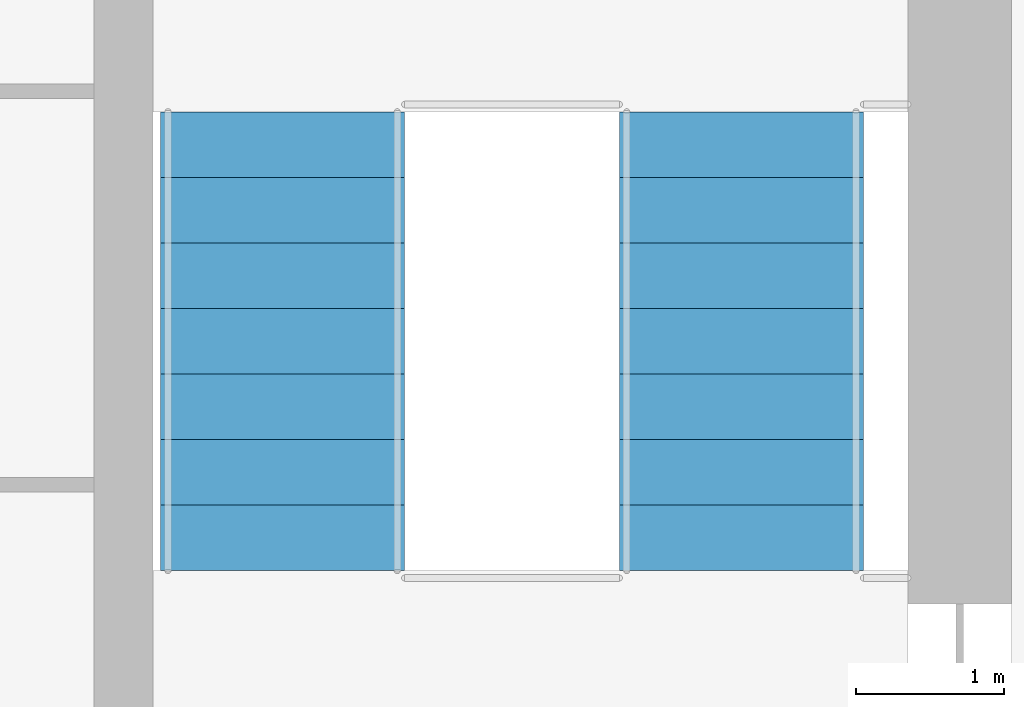
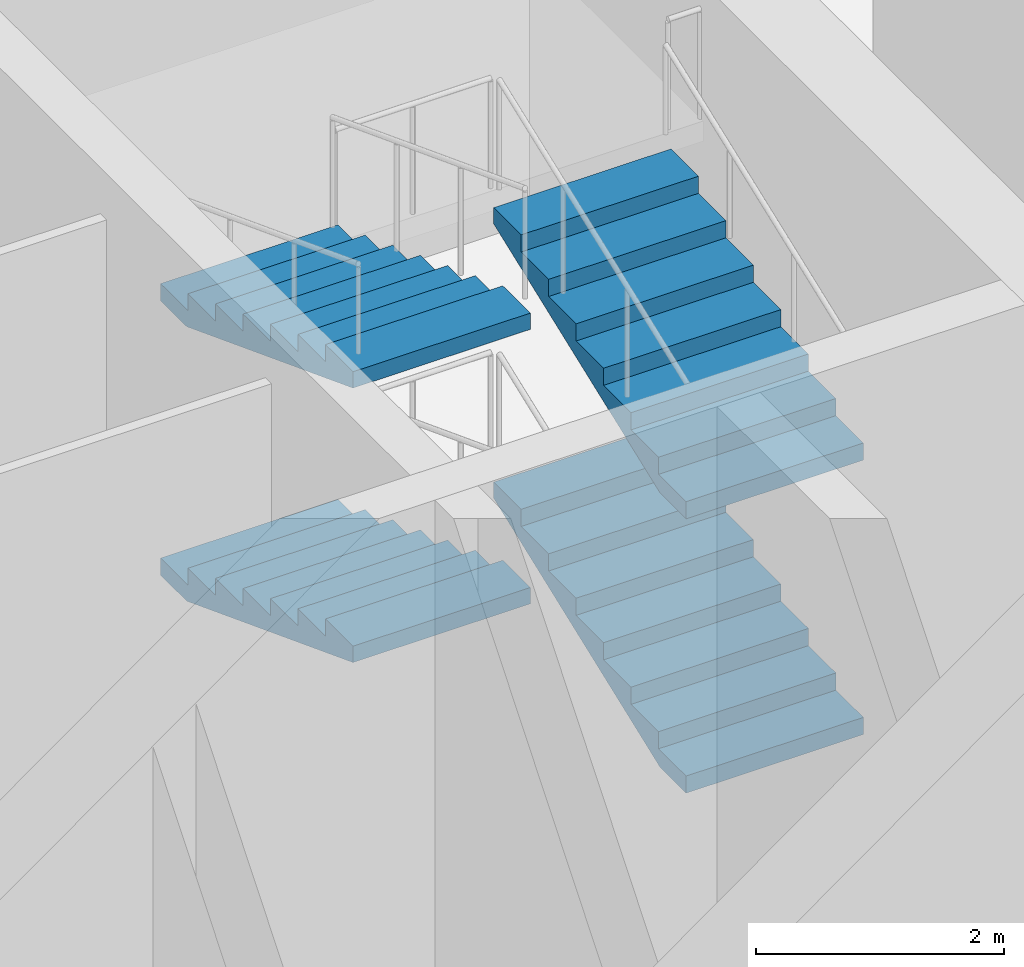
# One storey, part 8 of 19: 4 stair flights, 1 element without a shape of its own.
"""IFC4 building model written with IfcOpenShell, lengths in metres."""

from ifc_helpers import new_model, si_unit, direction, frame, origin, place, context, subcontext, project, spatial, polyline, outline, extrude, material, type_object, element, aggregate, save


model = new_model("IFC4")

# Units and contexts
model_context = context("Model", 3, precision=1e-05, world=origin(), true_north=direction((0.0, 1.0)))
body_context = subcontext(model_context, "Body", "Model", "MODEL_VIEW")
ifc_project = project(units=[si_unit("LENGTHUNIT", "METRE"), si_unit("AREAUNIT", "SQUARE_METRE"), si_unit("VOLUMEUNIT", "CUBIC_METRE"), si_unit("PLANEANGLEUNIT", "RADIAN"), si_unit("MASSUNIT", "GRAM", prefix="KILO")], contexts=[model_context])

# Site, building, storey
site_placement = place(None, origin())
site = spatial("IfcSite", under=ifc_project, at=site_placement, CompositionType="ELEMENT")
building_placement = place(site_placement, origin())
building = spatial("IfcBuilding", under=site, at=building_placement, Name="Corbel Stack Research Tower", CompositionType="ELEMENT")
storey_placement = place(building_placement, frame((0.0, 0.0, 226.199951171875)))
storey = spatial("IfcBuildingStorey", under=building, at=storey_placement, Name="L51", CompositionType="ELEMENT", Elevation=226.199951171875)

# Stair, stair flights
ifc_material_1 = material(Name="Concrete C40/50", Category="concrete")
stair_type = type_object("IfcStairType", Name="Exit stair 32 risers, 443 going", PredefinedType="HALF_TURN_STAIR", material=ifc_material_1)
stair_placement = place(storey_placement, origin())
stair = element("IfcStair", 1, at=stair_placement, inside=storey, type_object=stair_type, Name="L51 Exit stair ST-E2", PredefinedType="HALF_TURN_STAIR")
ifc_material_2 = material(Name="Concrete C40/50", Category="concrete")
stair_flight_type = type_object("IfcStairFlightType", Name="Stair flight 8 risers, 443 going", PredefinedType="STRAIGHT", material=ifc_material_2)
stair_flight_1_placement = place(storey_placement, frame((16.175048828125, 11.89990234375, 0.0), z_axis=(0.0, 0.0, 1.0), x_axis=(0.0, 1.0, 0.0)))
stair_flight_1 = element("IfcStairFlight", 2, at=stair_flight_1_placement, type_object=stair_flight_type, Name="ST-E2 flight 1", NumberOfRisers=8, NumberOfTreads=7, PredefinedType="STRAIGHT", RiserHeight=0.16875, TreadLength=0.443, context=body_context, shape_type="SweptSolid", body=[
    extrude(outline(polyline([(0.0, 0.0), (0.0, 0.168701171875), (0.443115234375, 0.168701171875), (0.443115234375, 0.33740234375), (0.885986328125, 0.33740234375), (0.885986328125, 0.50634765625), (1.3291015625, 0.50634765625), (1.3291015625, 0.675048828125), (1.77197265625, 0.675048828125), (1.77197265625, 0.84375), (2.215087890625, 0.84375), (2.215087890625, 1.012451171875), (2.657958984375, 1.012451171875), (2.657958984375, 1.18115234375), (3.10107421875, 1.18115234375), (3.10107421875, 1.35009765625), (3.10107421875, 1.020751953125), (0.421142578125, 0.0), (0.0, 0.0)])), frame((0.0, 0.824951171875, 0.0), z_axis=(0.0, -1.0, 0.0), x_axis=(1.0, 0.0, 0.0)), (0.0, 0.0, 1.0), 1.64990234375),
])
stair_flight_2_placement = place(storey_placement, frame((13.074951171875, 15.0009765625, 1.35009765625), z_axis=(0.0, 0.0, 1.0), x_axis=(0.0, -1.0, 0.0)))
stair_flight_2 = element("IfcStairFlight", 3, at=stair_flight_2_placement, type_object=stair_flight_type, Name="ST-E2 flight 2", NumberOfRisers=8, NumberOfTreads=7, PredefinedType="STRAIGHT", RiserHeight=0.16875, TreadLength=0.443, context=body_context, shape_type="SweptSolid", body=[
    extrude(outline(polyline([(0.0, 0.0), (0.0, 0.168701171875), (0.443115234375, 0.168701171875), (0.443115234375, 0.33740234375), (0.885986328125, 0.33740234375), (0.885986328125, 0.50634765625), (1.3291015625, 0.50634765625), (1.3291015625, 0.675048828125), (1.77197265625, 0.675048828125), (1.77197265625, 0.84375), (2.215087890625, 0.84375), (2.215087890625, 1.012451171875), (2.657958984375, 1.012451171875), (2.657958984375, 1.18115234375), (3.10107421875, 1.18115234375), (3.10107421875, 1.35009765625), (3.10107421875, 1.020751953125), (0.421142578125, 0.0), (0.0, 0.0)])), frame((0.0, 0.824951171875, 0.0), z_axis=(0.0, -1.0, 0.0), x_axis=(1.0, 0.0, 0.0)), (0.0, 0.0, 1.0), 1.64990234375),
])
stair_flight_3_placement = place(storey_placement, frame((16.175048828125, 11.89990234375, 2.699951171875), z_axis=(0.0, 0.0, 1.0), x_axis=(0.0, 1.0, 0.0)))
stair_flight_3 = element("IfcStairFlight", 4, at=stair_flight_3_placement, type_object=stair_flight_type, Name="ST-E2 flight 3", NumberOfRisers=8, NumberOfTreads=7, PredefinedType="STRAIGHT", RiserHeight=0.16875, TreadLength=0.443, context=body_context, shape_type="SweptSolid", body=[
    extrude(outline(polyline([(0.0, 0.0), (0.0, 0.168701171875), (0.443115234375, 0.168701171875), (0.443115234375, 0.33740234375), (0.885986328125, 0.33740234375), (0.885986328125, 0.50634765625), (1.3291015625, 0.50634765625), (1.3291015625, 0.675048828125), (1.77197265625, 0.675048828125), (1.77197265625, 0.84375), (2.215087890625, 0.84375), (2.215087890625, 1.012451171875), (2.657958984375, 1.012451171875), (2.657958984375, 1.18115234375), (3.10107421875, 1.18115234375), (3.10107421875, 1.35009765625), (3.10107421875, 1.020751953125), (0.421142578125, 0.0), (0.0, 0.0)])), frame((0.0, 0.824951171875, 0.0), z_axis=(0.0, -1.0, 0.0), x_axis=(1.0, 0.0, 0.0)), (0.0, 0.0, 1.0), 1.64990234375),
])
stair_flight_4_placement = place(storey_placement, frame((13.074951171875, 15.0009765625, 4.050048828125), z_axis=(0.0, 0.0, 1.0), x_axis=(0.0, -1.0, 0.0)))
stair_flight_4 = element("IfcStairFlight", 5, at=stair_flight_4_placement, type_object=stair_flight_type, Name="ST-E2 flight 4", NumberOfRisers=8, NumberOfTreads=7, PredefinedType="STRAIGHT", RiserHeight=0.16875, TreadLength=0.443, context=body_context, shape_type="SweptSolid", body=[
    extrude(outline(polyline([(0.0, 0.0), (0.0, 0.168701171875), (0.443115234375, 0.168701171875), (0.443115234375, 0.33740234375), (0.885986328125, 0.33740234375), (0.885986328125, 0.50634765625), (1.3291015625, 0.50634765625), (1.3291015625, 0.675048828125), (1.77197265625, 0.675048828125), (1.77197265625, 0.84375), (2.215087890625, 0.84375), (2.215087890625, 1.012451171875), (2.657958984375, 1.012451171875), (2.657958984375, 1.18115234375), (3.10107421875, 1.18115234375), (3.10107421875, 1.35009765625), (3.10107421875, 1.020751953125), (0.421142578125, 0.0), (0.0, 0.0)])), frame((0.0, 0.824951171875, 0.0), z_axis=(0.0, -1.0, 0.0), x_axis=(1.0, 0.0, 0.0)), (0.0, 0.0, 1.0), 1.64990234375),
])
aggregate(stair, [stair_flight_1, stair_flight_2, stair_flight_3, stair_flight_4])

save(model, "model.ifc")
